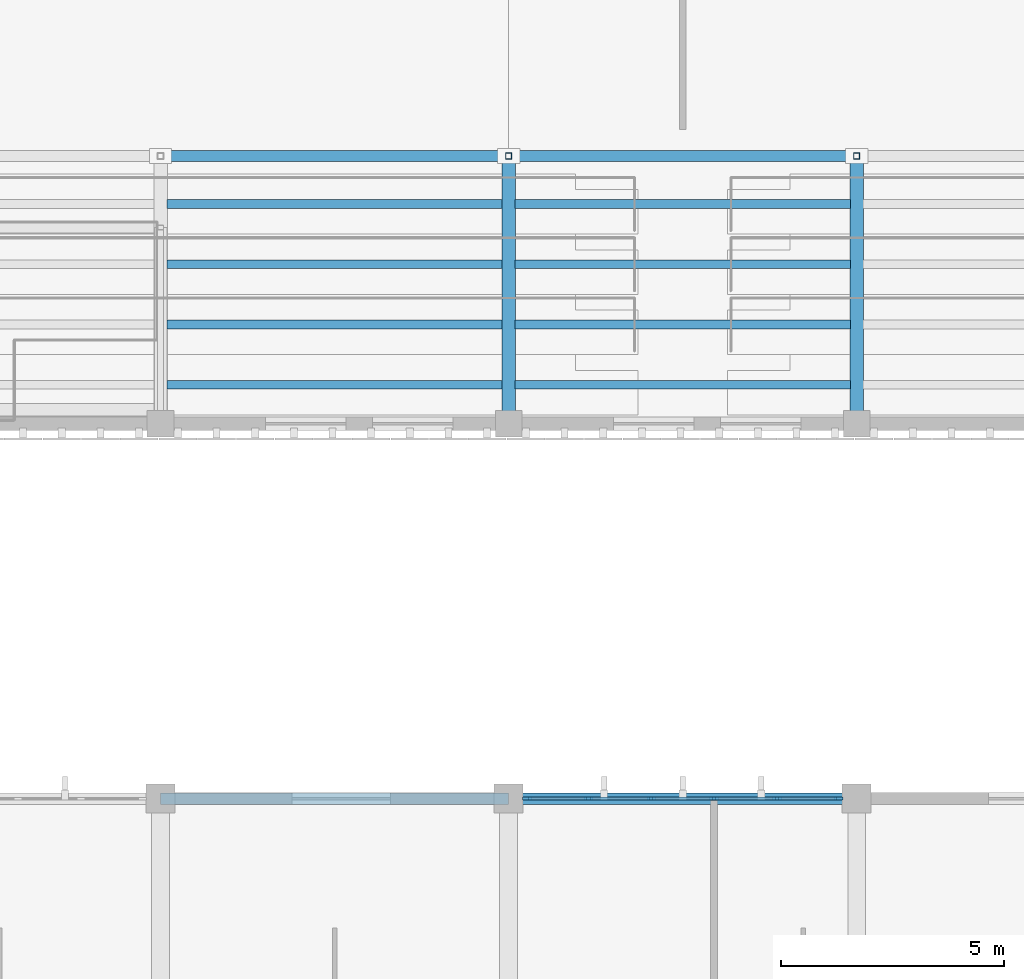
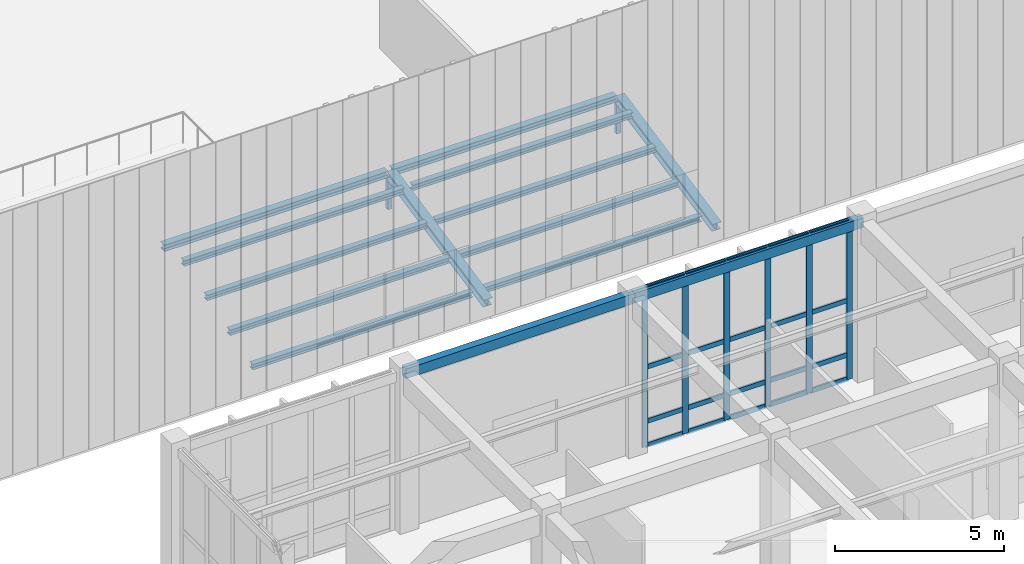
# One storey, part 15 of 105: 28 members, 14 beams, 1 element without a shape of its own.
"""IFC4 building model written with IfcOpenShell, lengths in metres."""

from ifc_helpers import new_model, si_unit, direction, frame, origin, origin_2d, place, context, subcontext, project, spatial, rectangle, hollow_rectangle, i_section, extrude, material, material_profile, profile_set, type_object, element, aggregate, save


model = new_model("IFC4")

# Units and contexts
model_context = context("Model", 3, precision=1e-05, world=origin(), true_north=direction((0.0, 1.0)))
body_context = subcontext(model_context, "Body", "Model", "MODEL_VIEW")
ifc_project = project(units=[si_unit("LENGTHUNIT", "METRE"), si_unit("AREAUNIT", "SQUARE_METRE"), si_unit("VOLUMEUNIT", "CUBIC_METRE"), si_unit("PLANEANGLEUNIT", "RADIAN"), si_unit("MASSUNIT", "GRAM", prefix="KILO")], contexts=[model_context])

# Site, building, storey
site_placement = place(None, origin())
site = spatial("IfcSite", under=ifc_project, at=site_placement, CompositionType="ELEMENT")
building_placement = place(site_placement, origin())
building = spatial("IfcBuilding", under=site, at=building_placement, Name="Tizgana Railside Sports Hall", CompositionType="ELEMENT")
storey_placement = place(building_placement, frame((0.0, 0.0, 6.0)))
storey = spatial("IfcBuildingStorey", under=building, at=storey_placement, Name="L01", CompositionType="ELEMENT", Elevation=6.0)

# Curtain wall, members
ifc_material_1 = material(Name="Anodised aluminium and glass", Category="aluminium")
curtain_wall_type = type_object("IfcCurtainWallType", Name="Unitised Curtain Wall Passage 1800", PredefinedType="NOTDEFINED", material=ifc_material_1)
curtain_wall_placement = place(storey_placement, origin())
curtain_wall = element("IfcCurtainWall", 1, at=curtain_wall_placement, inside=storey, type_object=curtain_wall_type, Name="L01 Curtain Wall CW-0093", PredefinedType="NOTDEFINED")
ifc_material_2 = material(Name="Anodised aluminium", Category="aluminium")
ifc_material_profile_1 = material_profile(ifc_material_2, rectangle(XDim=0.06494140625, YDim=0.199951171875, at=origin_2d()), Name="Mullion 65x200")
ifc_profile_set_1 = profile_set([ifc_material_profile_1], Name="Anodised aluminium")
member_type_1 = type_object("IfcMemberType", Name="Mullion 65x200", PredefinedType="MULLION", material=ifc_profile_set_1)
member_1_placement = place(storey_placement, frame((23.8125, 32.39990234375, 0.0), z_axis=(0.0, 0.0, 1.0), x_axis=(0.0, 1.0, 0.0)))
member_1 = element("IfcMember", 2, at=member_1_placement, type_object=member_type_1, Name="CW-06 mullion 1", PredefinedType="MULLION", context=body_context, shape_type="SweptSolid", body=[
    extrude(rectangle(XDim=0.06494140625, YDim=0.199951171875, at=origin_2d()), origin(), (0.0, 0.0, 1.0), 5.719970703125),
])
member_2_placement = place(storey_placement, frame((25.18798828125, 32.39990234375, 0.0), z_axis=(0.0, 0.0, 1.0), x_axis=(0.0, 1.0, 0.0)))
member_2 = element("IfcMember", 3, at=member_2_placement, type_object=member_type_1, Name="CW-06 mullion 2", PredefinedType="MULLION", context=body_context, shape_type="SweptSolid", body=[
    extrude(rectangle(XDim=0.06494140625, YDim=0.199951171875, at=origin_2d()), origin(), (0.0, 0.0, 1.0), 5.719970703125),
])
member_3_placement = place(storey_placement, frame((26.595947265625, 32.39990234375, 0.0), z_axis=(0.0, 0.0, 1.0), x_axis=(0.0, 1.0, 0.0)))
member_3 = element("IfcMember", 4, at=member_3_placement, type_object=member_type_1, Name="CW-06 mullion 3", PredefinedType="MULLION", context=body_context, shape_type="SweptSolid", body=[
    extrude(rectangle(XDim=0.06494140625, YDim=0.199951171875, at=origin_2d()), origin(), (0.0, 0.0, 1.0), 5.719970703125),
])
member_4_placement = place(storey_placement, frame((28.00390625, 32.39990234375, 0.0), z_axis=(0.0, 0.0, 1.0), x_axis=(0.0, 1.0, 0.0)))
member_4 = element("IfcMember", 5, at=member_4_placement, type_object=member_type_1, Name="CW-06 mullion 4", PredefinedType="MULLION", context=body_context, shape_type="SweptSolid", body=[
    extrude(rectangle(XDim=0.06494140625, YDim=0.199951171875, at=origin_2d()), origin(), (0.0, 0.0, 1.0), 5.719970703125),
])
member_5_placement = place(storey_placement, frame((29.412109375, 32.39990234375, 0.0), z_axis=(0.0, 0.0, 1.0), x_axis=(0.0, 1.0, 0.0)))
member_5 = element("IfcMember", 6, at=member_5_placement, type_object=member_type_1, Name="CW-06 mullion 5", PredefinedType="MULLION", context=body_context, shape_type="SweptSolid", body=[
    extrude(rectangle(XDim=0.06494140625, YDim=0.199951171875, at=origin_2d()), origin(), (0.0, 0.0, 1.0), 5.719970703125),
])
member_6_placement = place(storey_placement, frame((30.78759765625, 32.39990234375, 0.0), z_axis=(0.0, 0.0, 1.0), x_axis=(0.0, 1.0, 0.0)))
member_6 = element("IfcMember", 7, at=member_6_placement, type_object=member_type_1, Name="CW-06 mullion 6", PredefinedType="MULLION", context=body_context, shape_type="SweptSolid", body=[
    extrude(rectangle(XDim=0.06494140625, YDim=0.199951171875, at=origin_2d()), origin(), (0.0, 0.0, 1.0), 5.719970703125),
])

# Beams
ifc_material_3 = material(Name="Steel S355J2", Category="steel")
ifc_material_profile_2 = material_profile(ifc_material_3, i_section(OverallWidth=0.199951171875, OverallDepth=0.199951171875, WebThickness=0.009033203125, FlangeThickness=0.014892578125, FilletRadius=0.01806640625, at=origin_2d()), Name="HEB 200")
ifc_profile_set_2 = profile_set([ifc_material_profile_2], Name="Steel S355J2")
beam_type_1 = type_object("IfcBeamType", Name="Steel Beam HEB 200", PredefinedType="BEAM", material=ifc_profile_set_2)
beam_1_placement = place(storey_placement, frame((15.7451171875, 41.675048828125, 0.10498046875), z_axis=(1.0, 0.0, 0.0), x_axis=(0.0, 1.0, 0.0)))
element("IfcBeam", 8, at=beam_1_placement, inside=storey, type_object=beam_type_1, Name="L01 Stand Stringer BEM-0020", PredefinedType="BEAM", context=body_context, shape_type="SweptSolid", body=[
    extrude(i_section(OverallWidth=0.199951171875, OverallDepth=0.199951171875, WebThickness=0.009033203125, FlangeThickness=0.014892578125, FilletRadius=0.01806640625, at=origin_2d()), origin(), (0.0, 0.0, 1.0), 7.509765625),
])
beam_2_placement = place(storey_placement, frame((23.544921875, 41.675048828125, 0.10498046875), z_axis=(1.0, 0.0, 0.0), x_axis=(0.0, 1.0, 0.0)))
element("IfcBeam", 9, at=beam_2_placement, inside=storey, type_object=beam_type_1, Name="L01 Stand Stringer BEM-0021", PredefinedType="BEAM", context=body_context, shape_type="SweptSolid", body=[
    extrude(i_section(OverallWidth=0.199951171875, OverallDepth=0.199951171875, WebThickness=0.009033203125, FlangeThickness=0.014892578125, FilletRadius=0.01806640625, at=origin_2d()), origin(), (0.0, 0.0, 1.0), 7.510009765625),
])
beam_3_placement = place(storey_placement, frame((15.7451171875, 43.02490234375, 0.52490234375), z_axis=(1.0, 0.0, 0.0), x_axis=(0.0, 1.0, 0.0)))
element("IfcBeam", 10, at=beam_3_placement, inside=storey, type_object=beam_type_1, Name="L01 Stand Stringer BEM-0025", PredefinedType="BEAM", context=body_context, shape_type="SweptSolid", body=[
    extrude(i_section(OverallWidth=0.199951171875, OverallDepth=0.199951171875, WebThickness=0.009033203125, FlangeThickness=0.014892578125, FilletRadius=0.01806640625, at=origin_2d()), origin(), (0.0, 0.0, 1.0), 7.509765625),
])
beam_4_placement = place(storey_placement, frame((23.544921875, 43.02490234375, 0.52490234375), z_axis=(1.0, 0.0, 0.0), x_axis=(0.0, 1.0, 0.0)))
element("IfcBeam", 11, at=beam_4_placement, inside=storey, type_object=beam_type_1, Name="L01 Stand Stringer BEM-0026", PredefinedType="BEAM", context=body_context, shape_type="SweptSolid", body=[
    extrude(i_section(OverallWidth=0.199951171875, OverallDepth=0.199951171875, WebThickness=0.009033203125, FlangeThickness=0.014892578125, FilletRadius=0.01806640625, at=origin_2d()), origin(), (0.0, 0.0, 1.0), 7.510009765625),
])
beam_5_placement = place(storey_placement, frame((15.7451171875, 44.375, 0.965087890625), z_axis=(1.0, 0.0, 0.0), x_axis=(0.0, 1.0, 0.0)))
element("IfcBeam", 12, at=beam_5_placement, inside=storey, type_object=beam_type_1, Name="L01 Stand Stringer BEM-0030", PredefinedType="BEAM", context=body_context, shape_type="SweptSolid", body=[
    extrude(i_section(OverallWidth=0.199951171875, OverallDepth=0.199951171875, WebThickness=0.009033203125, FlangeThickness=0.014892578125, FilletRadius=0.01806640625, at=origin_2d()), origin(), (0.0, 0.0, 1.0), 7.509765625),
])
beam_6_placement = place(storey_placement, frame((23.544921875, 44.375, 0.965087890625), z_axis=(1.0, 0.0, 0.0), x_axis=(0.0, 1.0, 0.0)))
element("IfcBeam", 13, at=beam_6_placement, inside=storey, type_object=beam_type_1, Name="L01 Stand Stringer BEM-0031", PredefinedType="BEAM", context=body_context, shape_type="SweptSolid", body=[
    extrude(i_section(OverallWidth=0.199951171875, OverallDepth=0.199951171875, WebThickness=0.009033203125, FlangeThickness=0.014892578125, FilletRadius=0.01806640625, at=origin_2d()), origin(), (0.0, 0.0, 1.0), 7.510009765625),
])
beam_7_placement = place(storey_placement, frame((15.7451171875, 45.72509765625, 1.385009765625), z_axis=(1.0, 0.0, 0.0), x_axis=(0.0, 1.0, 0.0)))
element("IfcBeam", 14, at=beam_7_placement, inside=storey, type_object=beam_type_1, Name="L01 Stand Stringer BEM-0035", PredefinedType="BEAM", context=body_context, shape_type="SweptSolid", body=[
    extrude(i_section(OverallWidth=0.199951171875, OverallDepth=0.199951171875, WebThickness=0.009033203125, FlangeThickness=0.014892578125, FilletRadius=0.01806640625, at=origin_2d()), origin(), (0.0, 0.0, 1.0), 7.509765625),
])
beam_8_placement = place(storey_placement, frame((23.544921875, 45.72509765625, 1.385009765625), z_axis=(1.0, 0.0, 0.0), x_axis=(0.0, 1.0, 0.0)))
element("IfcBeam", 15, at=beam_8_placement, inside=storey, type_object=beam_type_1, Name="L01 Stand Stringer BEM-0036", PredefinedType="BEAM", context=body_context, shape_type="SweptSolid", body=[
    extrude(i_section(OverallWidth=0.199951171875, OverallDepth=0.199951171875, WebThickness=0.009033203125, FlangeThickness=0.014892578125, FilletRadius=0.01806640625, at=origin_2d()), origin(), (0.0, 0.0, 1.0), 7.510009765625),
])
ifc_material_profile_3 = material_profile(ifc_material_3, i_section(OverallWidth=0.239990234375, OverallDepth=0.239990234375, WebThickness=0.010009765625, FlangeThickness=0.01708984375, FilletRadius=0.02099609375, at=origin_2d()), Name="HEB 240")
ifc_profile_set_3 = profile_set([ifc_material_profile_3], Name="Steel S355J2")
beam_type_2 = type_object("IfcBeamType", Name="Steel Beam HEB 240", PredefinedType="BEAM", material=ifc_profile_set_3)
for number, where, z_axis, x_axis, name in (
    (16, (15.679931640625, 46.800048828125, 1.320068359375), (1.0, 0.0, 0.0), (0.0, 1.0, 0.0), "L01 Stand Rear Header SHB-0002"),
    (17, (23.47998046875, 46.800048828125, 1.320068359375), (1.0, 0.0, 0.0), (0.0, 1.0, 0.0), "L01 Stand Rear Header SHB-0003"),
):
    element("IfcBeam", number, at=place(storey_placement, frame(where, z_axis=z_axis, x_axis=x_axis)), inside=storey, type_object=beam_type_2, Name=name, PredefinedType="BEAM", context=body_context, shape_type="SweptSolid", body=[
        extrude(i_section(OverallWidth=0.239990234375, OverallDepth=0.239990234375, WebThickness=0.010009765625, FlangeThickness=0.01708984375, FilletRadius=0.02099609375, at=origin_2d()), origin(), (0.0, 0.0, 1.0), 7.64013671875),
    ])
ifc_material_profile_4 = material_profile(ifc_material_3, i_section(OverallWidth=0.300048828125, OverallDepth=0.300048828125, WebThickness=0.010986328125, FlangeThickness=0.01904296875, FilletRadius=0.027099609375, at=origin_2d()), Name="HEB 300")
ifc_profile_set_4 = profile_set([ifc_material_profile_4], Name="Steel S355J2")
beam_type_3 = type_object("IfcBeamType", Name="Steel Beam HEB 300", PredefinedType="BEAM", material=ifc_profile_set_4)
for number, where, z_axis, x_axis, name in (
    (18, (23.39990234375, 40.949951171875, 0.14990234375), (0.0, 0.979812896837, 0.199916700632), (-1.0, 0.0, 0.0), "L01 Stand Main Raker BEM-0015"),
    (19, (31.199951171875, 40.949951171875, 0.14990234375), (0.0, 0.979812896837, 0.199916700632), (-1.0, 0.0, 0.0), "L01 Stand Main Raker BEM-0016"),
):
    element("IfcBeam", number, at=place(storey_placement, frame(where, z_axis=z_axis, x_axis=x_axis)), inside=storey, type_object=beam_type_3, Name=name, PredefinedType="BEAM", context=body_context, shape_type="SweptSolid", body=[
        extrude(i_section(OverallWidth=0.300048828125, OverallDepth=0.300048828125, WebThickness=0.010986328125, FlangeThickness=0.01904296875, FilletRadius=0.027099609375, at=origin_2d()), origin(), (0.0, 0.0, 1.0), 5.853271484375),
    ])

# Members
ifc_material_profile_5 = material_profile(ifc_material_3, hollow_rectangle(XDim=0.139892578125, YDim=0.139892578125, WallThickness=0.008056640625, at=origin_2d()), Name="SHS 140x140x8")
ifc_profile_set_5 = profile_set([ifc_material_profile_5], Name="Steel S355J2")
member_type_2 = type_object("IfcMemberType", Name="Steel Brace SHS 140x140x8", PredefinedType="BRACE", material=ifc_profile_set_5)
for number, where, z_axis, x_axis, name in (
    (20, (23.39990234375, 46.800048828125, 0.0), (0.0, 0.0, 1.0), (1.0, 0.0, 0.0), "L01 Stand Strut"),
    (21, (31.199951171875, 46.800048828125, 0.0), (0.0, 0.0, 1.0), (1.0, 0.0, 0.0), "L01 Stand Strut"),
):
    element("IfcMember", number, at=place(storey_placement, frame(where, z_axis=z_axis, x_axis=x_axis)), inside=storey, type_object=member_type_2, Name=name, PredefinedType="BRACE", context=body_context, shape_type="SweptSolid", body=[
        extrude(hollow_rectangle(XDim=0.139892578125, YDim=0.139892578125, WallThickness=0.008056640625, at=origin_2d()), origin(), (0.0, 0.0, 1.0), 1.18994140625),
    ])

# Beams
ifc_material_profile_6 = material_profile(ifc_material_3, hollow_rectangle(XDim=0.25, YDim=0.35009765625, WallThickness=0.011962890625, at=origin_2d()), Name="RHS 350x250x12")
ifc_profile_set_6 = profile_set([ifc_material_profile_6], Name="Steel S355J2")
beam_type_4 = type_object("IfcBeamType", Name="Steel Spandrel RHS 350x250x12", PredefinedType="SPANDREL", material=ifc_profile_set_6)
beam_9_placement = place(storey_placement, frame((15.60009765625, 32.39990234375, 5.56103515625), z_axis=(1.0, 0.0, 0.0), x_axis=(0.0, 1.0, 0.0)))
element("IfcBeam", 22, at=beam_9_placement, inside=storey, type_object=beam_type_4, Name="L01 BEM-0520", PredefinedType="SPANDREL", context=body_context, shape_type="SweptSolid", body=[
    extrude(hollow_rectangle(XDim=0.25, YDim=0.35009765625, WallThickness=0.011962890625, at=origin_2d()), origin(), (0.0, 0.0, 1.0), 7.7998046875),
])
beam_10_placement = place(storey_placement, frame((23.39990234375, 32.39990234375, 5.56103515625), z_axis=(1.0, 0.0, 0.0), x_axis=(0.0, 1.0, 0.0)))
element("IfcBeam", 23, at=beam_10_placement, inside=storey, type_object=beam_type_4, Name="L01 BEM-0528", PredefinedType="SPANDREL", context=body_context, shape_type="SweptSolid", body=[
    extrude(hollow_rectangle(XDim=0.25, YDim=0.35009765625, WallThickness=0.011962890625, at=origin_2d()), origin(), (0.0, 0.0, 1.0), 7.800048828125),
])

# Member
ifc_material_profile_7 = material_profile(ifc_material_2, rectangle(XDim=0.06494140625, YDim=0.169921875, at=origin_2d()), Name="Transom 65x170")
ifc_profile_set_7 = profile_set([ifc_material_profile_7], Name="Anodised aluminium")
member_type_3 = type_object("IfcMemberType", Name="Transom 65x170", PredefinedType="USERDEFINED", material=ifc_profile_set_7)
member_7_placement = place(storey_placement, frame((23.844970703125, 32.39990234375, 0.032470703125), z_axis=(1.0, 0.0, 0.0), x_axis=(0.0, 1.0, 0.0)))
member_7 = element("IfcMember", 24, at=member_7_placement, type_object=member_type_3, Name="CW-06 transom 1.1", ObjectType="TRANSOM", PredefinedType="USERDEFINED", context=body_context, shape_type="SweptSolid", body=[
    extrude(rectangle(XDim=0.06494140625, YDim=0.169921875, at=origin_2d()), origin(), (0.0, 0.0, 1.0), 1.310546875),
])

member_8_placement = place(storey_placement, frame((23.844970703125, 32.39990234375, 0.89990234375), z_axis=(1.0, 0.0, 0.0), x_axis=(0.0, 1.0, 0.0)))
member_8 = element("IfcMember", 25, at=member_8_placement, type_object=member_type_3, Name="CW-06 transom 1.2", ObjectType="TRANSOM", PredefinedType="USERDEFINED", context=body_context, shape_type="SweptSolid", body=[
    extrude(rectangle(XDim=0.06494140625, YDim=0.169921875, at=origin_2d()), origin(), (0.0, 0.0, 1.0), 1.310546875),
])

member_9_placement = place(storey_placement, frame((23.844970703125, 32.39990234375, 2.860107421875), z_axis=(1.0, 0.0, 0.0), x_axis=(0.0, 1.0, 0.0)))
member_9 = element("IfcMember", 26, at=member_9_placement, type_object=member_type_3, Name="CW-06 transom 1.3", ObjectType="TRANSOM", PredefinedType="USERDEFINED", context=body_context, shape_type="SweptSolid", body=[
    extrude(rectangle(XDim=0.06494140625, YDim=0.169921875, at=origin_2d()), origin(), (0.0, 0.0, 1.0), 1.310546875),
])

member_10_placement = place(storey_placement, frame((23.844970703125, 32.39990234375, 5.6875), z_axis=(1.0, 0.0, 0.0), x_axis=(0.0, 1.0, 0.0)))
member_10 = element("IfcMember", 27, at=member_10_placement, type_object=member_type_3, Name="CW-06 transom 1.4", ObjectType="TRANSOM", PredefinedType="USERDEFINED", context=body_context, shape_type="SweptSolid", body=[
    extrude(rectangle(XDim=0.06494140625, YDim=0.169921875, at=origin_2d()), origin(), (0.0, 0.0, 1.0), 1.310546875),
])

member_11_placement = place(storey_placement, frame((25.220458984375, 32.39990234375, 0.032470703125), z_axis=(1.0, 0.0, 0.0), x_axis=(0.0, 1.0, 0.0)))
member_11 = element("IfcMember", 28, at=member_11_placement, type_object=member_type_3, Name="CW-06 transom 2.1", ObjectType="TRANSOM", PredefinedType="USERDEFINED", context=body_context, shape_type="SweptSolid", body=[
    extrude(rectangle(XDim=0.06494140625, YDim=0.169921875, at=origin_2d()), origin(), (0.0, 0.0, 1.0), 1.343017578125),
])

member_12_placement = place(storey_placement, frame((25.220458984375, 32.39990234375, 0.89990234375), z_axis=(1.0, 0.0, 0.0), x_axis=(0.0, 1.0, 0.0)))
member_12 = element("IfcMember", 29, at=member_12_placement, type_object=member_type_3, Name="CW-06 transom 2.2", ObjectType="TRANSOM", PredefinedType="USERDEFINED", context=body_context, shape_type="SweptSolid", body=[
    extrude(rectangle(XDim=0.06494140625, YDim=0.169921875, at=origin_2d()), origin(), (0.0, 0.0, 1.0), 1.343017578125),
])

member_13_placement = place(storey_placement, frame((25.220458984375, 32.39990234375, 2.860107421875), z_axis=(1.0, 0.0, 0.0), x_axis=(0.0, 1.0, 0.0)))
member_13 = element("IfcMember", 30, at=member_13_placement, type_object=member_type_3, Name="CW-06 transom 2.3", ObjectType="TRANSOM", PredefinedType="USERDEFINED", context=body_context, shape_type="SweptSolid", body=[
    extrude(rectangle(XDim=0.06494140625, YDim=0.169921875, at=origin_2d()), origin(), (0.0, 0.0, 1.0), 1.343017578125),
])

member_14_placement = place(storey_placement, frame((25.220458984375, 32.39990234375, 5.6875), z_axis=(1.0, 0.0, 0.0), x_axis=(0.0, 1.0, 0.0)))
member_14 = element("IfcMember", 31, at=member_14_placement, type_object=member_type_3, Name="CW-06 transom 2.4", ObjectType="TRANSOM", PredefinedType="USERDEFINED", context=body_context, shape_type="SweptSolid", body=[
    extrude(rectangle(XDim=0.06494140625, YDim=0.169921875, at=origin_2d()), origin(), (0.0, 0.0, 1.0), 1.343017578125),
])

member_15_placement = place(storey_placement, frame((26.62841796875, 32.39990234375, 0.032470703125), z_axis=(1.0, 0.0, 0.0), x_axis=(0.0, 1.0, 0.0)))
member_15 = element("IfcMember", 32, at=member_15_placement, type_object=member_type_3, Name="CW-06 transom 3.1", ObjectType="TRANSOM", PredefinedType="USERDEFINED", context=body_context, shape_type="SweptSolid", body=[
    extrude(rectangle(XDim=0.06494140625, YDim=0.169921875, at=origin_2d()), origin(), (0.0, 0.0, 1.0), 1.343017578125),
])

member_16_placement = place(storey_placement, frame((26.62841796875, 32.39990234375, 0.89990234375), z_axis=(1.0, 0.0, 0.0), x_axis=(0.0, 1.0, 0.0)))
member_16 = element("IfcMember", 33, at=member_16_placement, type_object=member_type_3, Name="CW-06 transom 3.2", ObjectType="TRANSOM", PredefinedType="USERDEFINED", context=body_context, shape_type="SweptSolid", body=[
    extrude(rectangle(XDim=0.06494140625, YDim=0.169921875, at=origin_2d()), origin(), (0.0, 0.0, 1.0), 1.343017578125),
])

member_17_placement = place(storey_placement, frame((26.62841796875, 32.39990234375, 2.860107421875), z_axis=(1.0, 0.0, 0.0), x_axis=(0.0, 1.0, 0.0)))
member_17 = element("IfcMember", 34, at=member_17_placement, type_object=member_type_3, Name="CW-06 transom 3.3", ObjectType="TRANSOM", PredefinedType="USERDEFINED", context=body_context, shape_type="SweptSolid", body=[
    extrude(rectangle(XDim=0.06494140625, YDim=0.169921875, at=origin_2d()), origin(), (0.0, 0.0, 1.0), 1.343017578125),
])

member_18_placement = place(storey_placement, frame((26.62841796875, 32.39990234375, 5.6875), z_axis=(1.0, 0.0, 0.0), x_axis=(0.0, 1.0, 0.0)))
member_18 = element("IfcMember", 35, at=member_18_placement, type_object=member_type_3, Name="CW-06 transom 3.4", ObjectType="TRANSOM", PredefinedType="USERDEFINED", context=body_context, shape_type="SweptSolid", body=[
    extrude(rectangle(XDim=0.06494140625, YDim=0.169921875, at=origin_2d()), origin(), (0.0, 0.0, 1.0), 1.343017578125),
])

member_19_placement = place(storey_placement, frame((28.03662109375, 32.39990234375, 0.032470703125), z_axis=(1.0, 0.0, 0.0), x_axis=(0.0, 1.0, 0.0)))
member_19 = element("IfcMember", 36, at=member_19_placement, type_object=member_type_3, Name="CW-06 transom 4.1", ObjectType="TRANSOM", PredefinedType="USERDEFINED", context=body_context, shape_type="SweptSolid", body=[
    extrude(rectangle(XDim=0.06494140625, YDim=0.169921875, at=origin_2d()), origin(), (0.0, 0.0, 1.0), 1.3427734375),
])

member_20_placement = place(storey_placement, frame((28.03662109375, 32.39990234375, 0.89990234375), z_axis=(1.0, 0.0, 0.0), x_axis=(0.0, 1.0, 0.0)))
member_20 = element("IfcMember", 37, at=member_20_placement, type_object=member_type_3, Name="CW-06 transom 4.2", ObjectType="TRANSOM", PredefinedType="USERDEFINED", context=body_context, shape_type="SweptSolid", body=[
    extrude(rectangle(XDim=0.06494140625, YDim=0.169921875, at=origin_2d()), origin(), (0.0, 0.0, 1.0), 1.3427734375),
])

member_21_placement = place(storey_placement, frame((28.03662109375, 32.39990234375, 2.860107421875), z_axis=(1.0, 0.0, 0.0), x_axis=(0.0, 1.0, 0.0)))
member_21 = element("IfcMember", 38, at=member_21_placement, type_object=member_type_3, Name="CW-06 transom 4.3", ObjectType="TRANSOM", PredefinedType="USERDEFINED", context=body_context, shape_type="SweptSolid", body=[
    extrude(rectangle(XDim=0.06494140625, YDim=0.169921875, at=origin_2d()), origin(), (0.0, 0.0, 1.0), 1.3427734375),
])

member_22_placement = place(storey_placement, frame((28.03662109375, 32.39990234375, 5.6875), z_axis=(1.0, 0.0, 0.0), x_axis=(0.0, 1.0, 0.0)))
member_22 = element("IfcMember", 39, at=member_22_placement, type_object=member_type_3, Name="CW-06 transom 4.4", ObjectType="TRANSOM", PredefinedType="USERDEFINED", context=body_context, shape_type="SweptSolid", body=[
    extrude(rectangle(XDim=0.06494140625, YDim=0.169921875, at=origin_2d()), origin(), (0.0, 0.0, 1.0), 1.3427734375),
])

member_23_placement = place(storey_placement, frame((29.444580078125, 32.39990234375, 0.032470703125), z_axis=(1.0, 0.0, 0.0), x_axis=(0.0, 1.0, 0.0)))
member_23 = element("IfcMember", 40, at=member_23_placement, type_object=member_type_3, Name="CW-06 transom 5.1", ObjectType="TRANSOM", PredefinedType="USERDEFINED", context=body_context, shape_type="SweptSolid", body=[
    extrude(rectangle(XDim=0.06494140625, YDim=0.169921875, at=origin_2d()), origin(), (0.0, 0.0, 1.0), 1.310302734375),
])

member_24_placement = place(storey_placement, frame((29.444580078125, 32.39990234375, 0.89990234375), z_axis=(1.0, 0.0, 0.0), x_axis=(0.0, 1.0, 0.0)))
member_24 = element("IfcMember", 41, at=member_24_placement, type_object=member_type_3, Name="CW-06 transom 5.2", ObjectType="TRANSOM", PredefinedType="USERDEFINED", context=body_context, shape_type="SweptSolid", body=[
    extrude(rectangle(XDim=0.06494140625, YDim=0.169921875, at=origin_2d()), origin(), (0.0, 0.0, 1.0), 1.310302734375),
])

member_25_placement = place(storey_placement, frame((29.444580078125, 32.39990234375, 2.860107421875), z_axis=(1.0, 0.0, 0.0), x_axis=(0.0, 1.0, 0.0)))
member_25 = element("IfcMember", 42, at=member_25_placement, type_object=member_type_3, Name="CW-06 transom 5.3", ObjectType="TRANSOM", PredefinedType="USERDEFINED", context=body_context, shape_type="SweptSolid", body=[
    extrude(rectangle(XDim=0.06494140625, YDim=0.169921875, at=origin_2d()), origin(), (0.0, 0.0, 1.0), 1.310302734375),
])

member_26_placement = place(storey_placement, frame((29.444580078125, 32.39990234375, 5.6875), z_axis=(1.0, 0.0, 0.0), x_axis=(0.0, 1.0, 0.0)))
member_26 = element("IfcMember", 43, at=member_26_placement, type_object=member_type_3, Name="CW-06 transom 5.4", ObjectType="TRANSOM", PredefinedType="USERDEFINED", context=body_context, shape_type="SweptSolid", body=[
    extrude(rectangle(XDim=0.06494140625, YDim=0.169921875, at=origin_2d()), origin(), (0.0, 0.0, 1.0), 1.310302734375),
])

aggregate(curtain_wall, [member_1, member_2, member_3, member_4, member_5, member_6, member_7, member_8, member_9, member_10, member_11, member_12, member_13, member_14, member_15, member_16, member_17, member_18, member_19, member_20, member_21, member_22, member_23, member_24, member_25, member_26])

save(model, "model.ifc")
